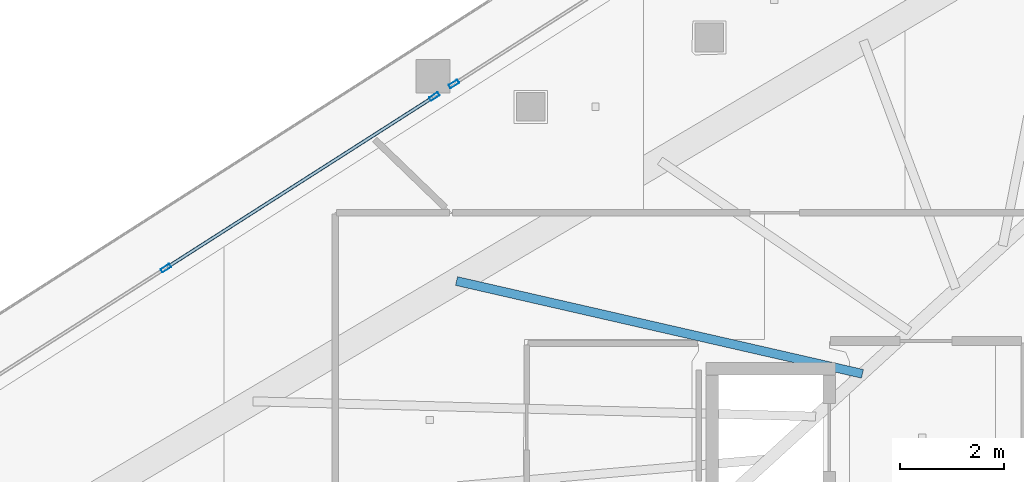
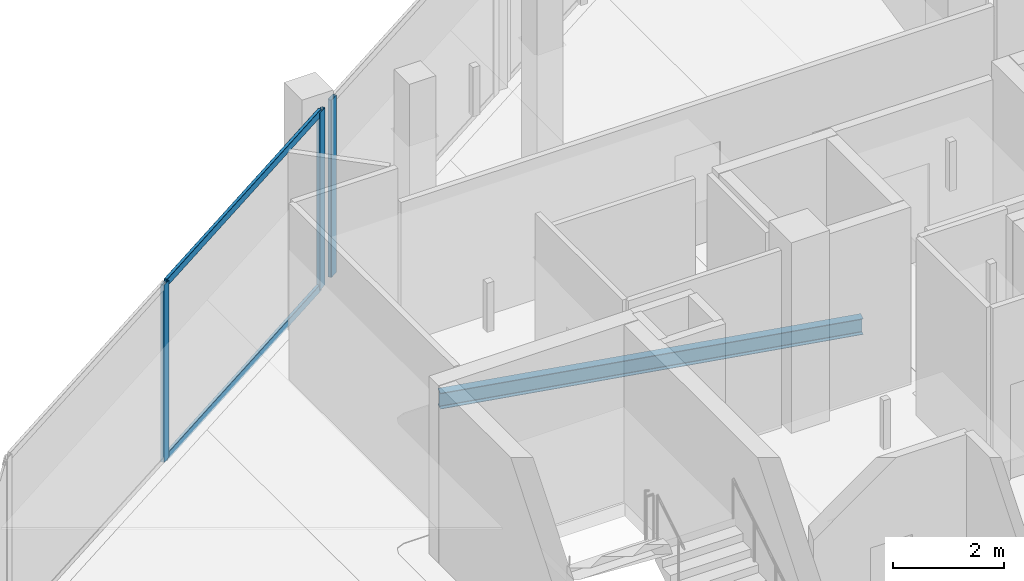
# One storey, part 15 of 31: 5 members, 1 beam, 2 elements without a shape of their own.
"""IFC4 building model written with IfcOpenShell, lengths in metres."""

from ifc_helpers import new_model, si_unit, direction, frame, origin, origin_2d, place, context, subcontext, project, spatial, hollow_rectangle, i_section, extrude, material, layer, layer_set, material_profile, profile_set, type_object, element, aggregate, save


model = new_model("IFC4")

# Units and contexts
model_context = context("Model", 3, precision=1e-05, world=origin(), true_north=direction((0.0, 1.0)))
body_context = subcontext(model_context, "Body", "Model", "MODEL_VIEW")
ifc_project = project(units=[si_unit("LENGTHUNIT", "METRE"), si_unit("AREAUNIT", "SQUARE_METRE"), si_unit("VOLUMEUNIT", "CUBIC_METRE"), si_unit("PLANEANGLEUNIT", "RADIAN"), si_unit("MASSUNIT", "GRAM", prefix="KILO")], contexts=[model_context])

# Site, building, storey
site_placement = place(None, origin())
site = spatial("IfcSite", under=ifc_project, at=site_placement, CompositionType="ELEMENT")
building_placement = place(site_placement, origin())
building = spatial("IfcBuilding", under=site, at=building_placement, Name="Qorvath Tower", CompositionType="ELEMENT")
storey_placement = place(building_placement, frame((0.0, 0.0, 264.0)))
storey = spatial("IfcBuildingStorey", under=building, at=storey_placement, Name="L61", CompositionType="ELEMENT", Elevation=264.0)

# Beam
ifc_material_1 = material(Name="Steel ASTM A992 Grade 50", Category="steel")
ifc_material_profile_1 = material_profile(ifc_material_1, i_section(OverallWidth=0.1708984375, OverallDepth=0.35107421875, WebThickness=0.0068359375, FlangeThickness=0.009765625, FilletRadius=0.010009765625, at=origin_2d()), Name="W14x30")
ifc_profile_set_1 = profile_set([ifc_material_profile_1], Name="Steel ASTM A992 Grade 50")
beam_type = type_object("IfcBeamType", Name="BM-FJ4", PredefinedType="JOIST", material=ifc_profile_set_1)
beam_placement = place(storey_placement, frame((-27.739990234375, 7.669921875, -0.465576171875), z_axis=(-0.974852627195, 0.222850522212, 0.0), x_axis=(-0.222850522212, -0.974852627195, 0.0)))
element("IfcBeam", 1, at=beam_placement, inside=storey, type_object=beam_type, Name="Composite Floor Joist NW3 L61", PredefinedType="JOIST", context=body_context, shape_type="SweptSolid", body=[
    extrude(i_section(OverallWidth=0.1708984375, OverallDepth=0.35107421875, WebThickness=0.0068359375, FlangeThickness=0.009765625, FilletRadius=0.010009765625, at=origin_2d()), origin(), (0.0, 0.0, 1.0), 7.98974609375),
])

# Curtain wall, member
ifc_material_2 = material(Name="Anodised aluminium and triple low-E glass", Category="aluminium")
ifc_layer = layer(ifc_material_2, 0.179931640625)
ifc_layer_set = layer_set([ifc_layer], Name="CW-SYS-4")
curtain_wall_type = type_object("IfcCurtainWallType", Name="CW-SYS-4", PredefinedType="NOTDEFINED", material=ifc_layer_set)
curtain_wall_1_placement = place(storey_placement, origin())
curtain_wall_1 = element("IfcCurtainWall", 2, at=curtain_wall_1_placement, inside=storey, type_object=curtain_wall_type, Name="Curtain Wall CW-4 CW-T-L61-16.2", PredefinedType="NOTDEFINED")
ifc_material_3 = material(Name="Anodised aluminium 6063-T6", Category="aluminium")
ifc_material_profile_2 = material_profile(ifc_material_3, hollow_rectangle(XDim=0.074951171875, YDim=0.199951171875, WallThickness=0.00390625, InnerFilletRadius=0.00390625, OuterFilletRadius=0.008056640625, at=origin_2d()), Name="CWM 200x75")
ifc_profile_set_2 = profile_set([ifc_material_profile_2], Name="Anodised aluminium 6063-T6")
member_type_1 = type_object("IfcMemberType", Name="CWM-200", PredefinedType="MULLION", material=ifc_profile_set_2)
member_1_placement = place(storey_placement, frame((-35.5791015625, 13.2314453125, 0.0), z_axis=(0.0, 0.0, 1.0), x_axis=(0.538544411218, -0.842597126239, 0.0)))
member_1 = element("IfcMember", 3, at=member_1_placement, type_object=member_type_1, Name="CW-4 mullion 2", PredefinedType="MULLION", context=body_context, shape_type="SweptSolid", body=[
    extrude(hollow_rectangle(XDim=0.074951171875, YDim=0.199951171875, WallThickness=0.00390625, InnerFilletRadius=0.00390625, OuterFilletRadius=0.008056640625, at=origin_2d()), origin(), (0.0, 0.0, 1.0), 3.909912109375),
])
aggregate(curtain_wall_1, [member_1])

# Curtain wall, members
curtain_wall_2_placement = place(storey_placement, origin())
curtain_wall_2 = element("IfcCurtainWall", 4, at=curtain_wall_2_placement, inside=storey, type_object=curtain_wall_type, Name="Curtain Wall CW-4 CW-T-L61-16.3", PredefinedType="NOTDEFINED")
member_2_placement = place(storey_placement, frame((-35.955322265625, 12.99072265625, 0.0), z_axis=(0.0, 0.0, 1.0), x_axis=(0.538533165876, -0.842604313573, 0.0)))
member_2 = element("IfcMember", 5, at=member_2_placement, type_object=member_type_1, Name="CW-4 mullion 1", PredefinedType="MULLION", context=body_context, shape_type="SweptSolid", body=[
    extrude(hollow_rectangle(XDim=0.074951171875, YDim=0.199951171875, WallThickness=0.00390625, InnerFilletRadius=0.00390625, OuterFilletRadius=0.008056640625, at=origin_2d()), origin(), (0.0, 0.0, 1.0), 3.909912109375),
])
member_3_placement = place(storey_placement, frame((-41.106201171875, 9.69873046875, 0.0), z_axis=(0.0, 0.0, 1.0), x_axis=(0.538533165876, -0.842604313573, 0.0)))
member_3 = element("IfcMember", 6, at=member_3_placement, type_object=member_type_1, Name="CW-4 mullion 2", PredefinedType="MULLION", context=body_context, shape_type="SweptSolid", body=[
    extrude(hollow_rectangle(XDim=0.074951171875, YDim=0.199951171875, WallThickness=0.00390625, InnerFilletRadius=0.00390625, OuterFilletRadius=0.008056640625, at=origin_2d()), origin(), (0.0, 0.0, 1.0), 3.909912109375),
])
ifc_material_4 = material(Name="Anodised aluminium 6063-T6", Category="aluminium")
ifc_material_profile_3 = material_profile(ifc_material_4, hollow_rectangle(XDim=0.06494140625, YDim=0.159912109375, WallThickness=0.00341796875, InnerFilletRadius=0.00341796875, OuterFilletRadius=0.007080078125, at=origin_2d()), Name="CWT 160x65")
ifc_profile_set_3 = profile_set([ifc_material_profile_3], Name="Anodised aluminium 6063-T6")
member_type_2 = type_object("IfcMemberType", Name="CWT-160", PredefinedType="USERDEFINED", material=ifc_profile_set_3)
member_4_placement = place(storey_placement, frame((-35.987060546875, 12.970703125, 0.032470703125), z_axis=(-0.842600955665, -0.538538419718, 0.0), x_axis=(0.538538419718, -0.842600955665, 0.0)))
member_4 = element("IfcMember", 7, at=member_4_placement, type_object=member_type_2, Name="CW-4 transom 1.1", ObjectType="TRANSOM", PredefinedType="USERDEFINED", context=body_context, shape_type="SweptSolid", body=[
    extrude(hollow_rectangle(XDim=0.06494140625, YDim=0.159912109375, WallThickness=0.00341796875, InnerFilletRadius=0.00341796875, OuterFilletRadius=0.007080078125, at=origin_2d()), origin(), (0.0, 0.0, 1.0), 6.0380859375),
])
member_5_placement = place(storey_placement, frame((-35.987060546875, 12.970703125, 3.87744140625), z_axis=(-0.842600955665, -0.538538419718, 0.0), x_axis=(0.538538419718, -0.842600955665, 0.0)))
member_5 = element("IfcMember", 8, at=member_5_placement, type_object=member_type_2, Name="CW-4 transom 1.2", ObjectType="TRANSOM", PredefinedType="USERDEFINED", context=body_context, shape_type="SweptSolid", body=[
    extrude(hollow_rectangle(XDim=0.06494140625, YDim=0.159912109375, WallThickness=0.00341796875, InnerFilletRadius=0.00341796875, OuterFilletRadius=0.007080078125, at=origin_2d()), origin(), (0.0, 0.0, 1.0), 6.0380859375),
])
aggregate(curtain_wall_2, [member_2, member_3, member_4, member_5])

save(model, "model.ifc")
